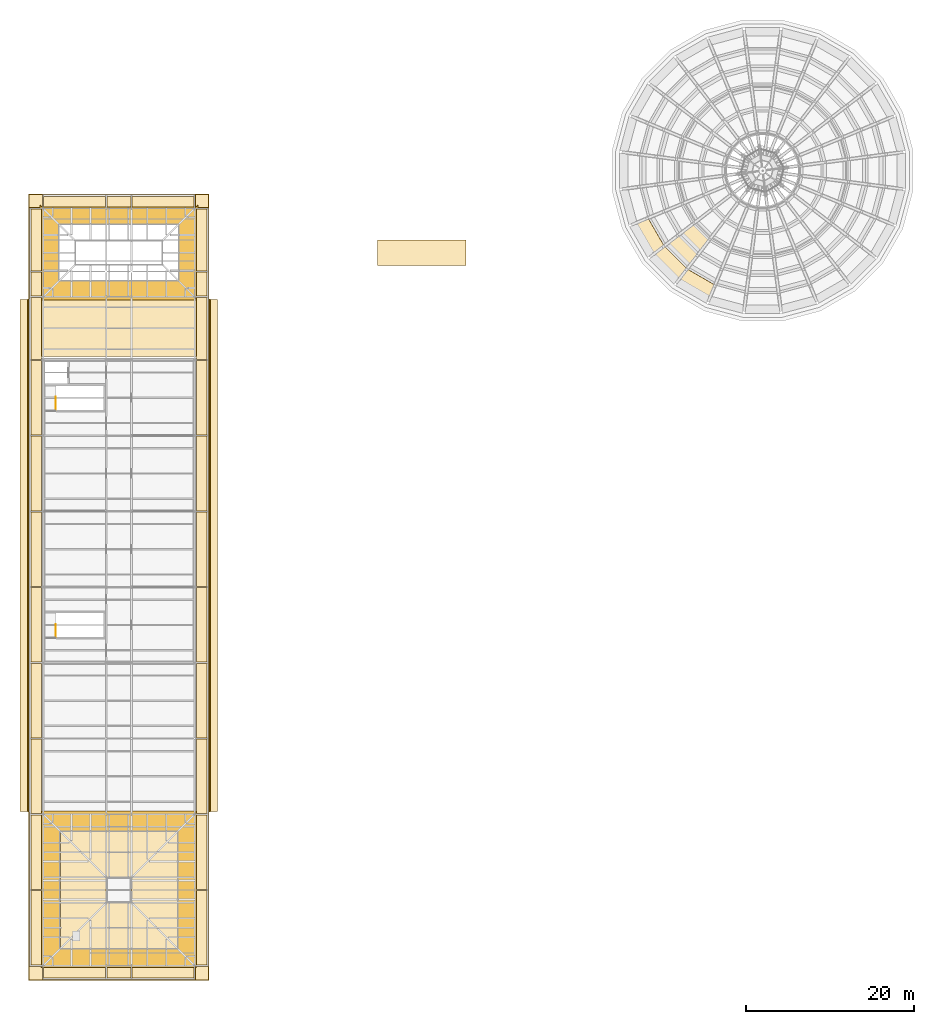
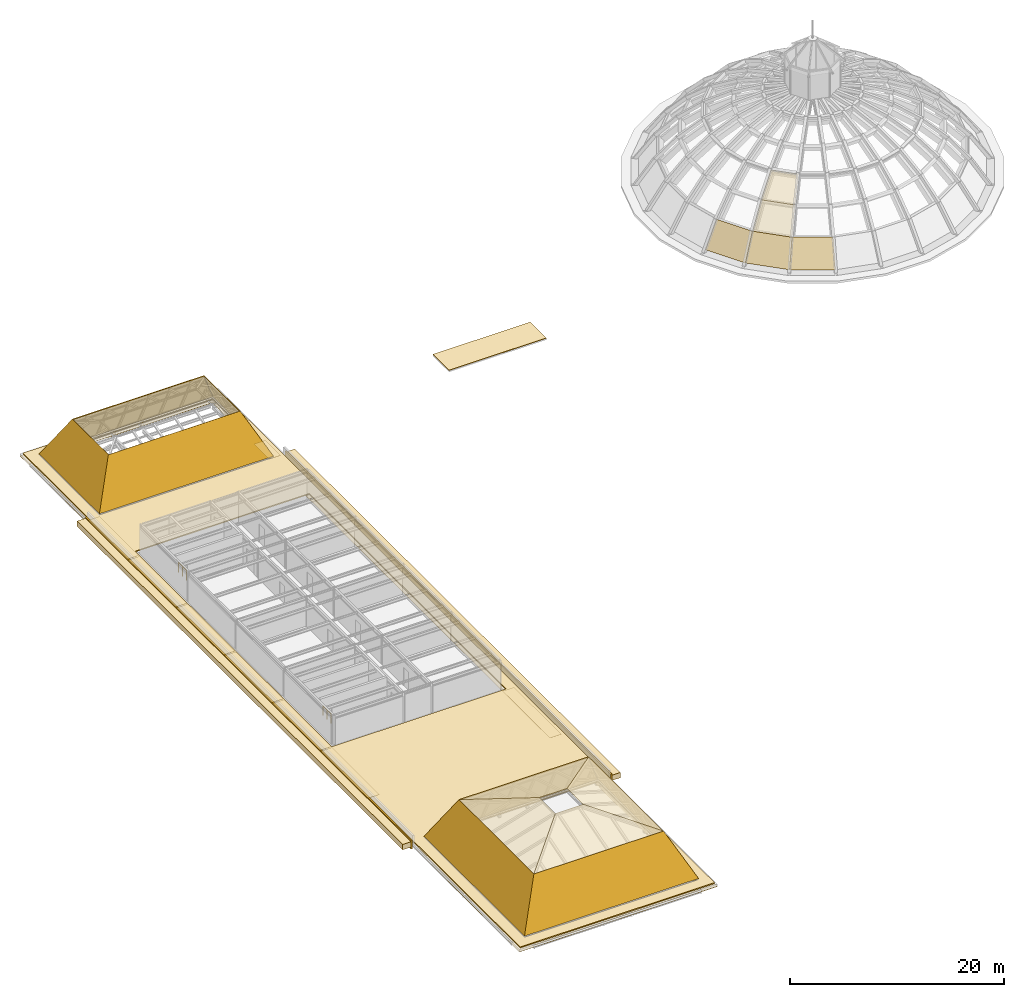
# One storey, part 26 of 29: 52 coverings, 2 railings.
"""IFC4 building model written with IfcOpenShell, lengths in metres."""

from ifc_helpers import new_model, si_unit, direction, frame, origin, origin_2d, place, context, subcontext, project, spatial, polyline, circle, outline, extrude, material, layer, layer_set, type_object, element, save


model = new_model("IFC4")

# Units and contexts
model_context = context("Model", 3, precision=1e-05, world=origin(), true_north=direction((0.0, 1.0)))
body_context = subcontext(model_context, "Body", "Model", "MODEL_VIEW")
ifc_project = project(units=[si_unit("LENGTHUNIT", "METRE"), si_unit("AREAUNIT", "SQUARE_METRE"), si_unit("VOLUMEUNIT", "CUBIC_METRE"), si_unit("PLANEANGLEUNIT", "RADIAN"), si_unit("MASSUNIT", "GRAM", prefix="KILO")], contexts=[model_context])

# Site, building, storey
site_placement = place(None, origin())
site = spatial("IfcSite", under=ifc_project, at=site_placement, CompositionType="ELEMENT")
building_placement = place(site_placement, origin())
building = spatial("IfcBuilding", under=site, at=building_placement, Name="Golden Quay Civic Hall", CompositionType="ELEMENT")
storey_placement = place(building_placement, frame((0.0, 0.0, 27.0)))
storey = spatial("IfcBuildingStorey", under=building, at=storey_placement, Name="L06", CompositionType="ELEMENT", Elevation=27.0)

# Coverings
ifc_material_1 = material(Name="Aluminium, anodised", Category="aluminium")
ifc_layer_1 = layer(ifc_material_1, 0.02490234375)
ifc_layer_set_1 = layer_set([ifc_layer_1], Name="Aluminium soffit lining 25")
covering_type_1 = type_object("IfcCoveringType", Name="Aluminium soffit lining 25", PredefinedType="CEILING", material=ifc_layer_set_1)
covering_1_placement = place(storey_placement, frame((0.0, 0.0, -0.27490234375)))
element("IfcCovering", 1, at=covering_1_placement, inside=storey, type_object=covering_type_1, Name="Aluminium soffit lining 25 L06 1", PredefinedType="CEILING", context=body_context, shape_type="SweptSolid", body=[
    extrude(outline(polyline([(-0.199951171875, -10.699951171875), (-1.699951171875, -10.699951171875), (-1.699951171875, -9.199951171875), (-1.699951171875, 81.199951171875), (-1.699951171875, 82.699951171875), (-0.199951171875, 82.699951171875), (18.199951171875, 82.699951171875), (19.699951171875, 82.699951171875), (19.699951171875, 81.199951171875), (19.699951171875, -9.199951171875), (19.699951171875, -10.699951171875), (18.199951171875, -10.699951171875), (-0.199951171875, -10.699951171875)]), holes=[polyline([(18.199951171875, -9.0673828125), (19.64990234375, -9.0673828125), (19.64990234375, -8.9326171875), (19.64990234375, -0.0673828125), (19.64990234375, 0.0673828125), (19.64990234375, 8.9326171875), (19.64990234375, 9.0673828125), (19.64990234375, 17.9326171875), (19.64990234375, 18.0673828125), (19.64990234375, 26.9326171875), (19.64990234375, 27.0673828125), (19.64990234375, 35.9326171875), (19.64990234375, 36.0673828125), (19.64990234375, 44.9326171875), (19.64990234375, 45.0673828125), (19.64990234375, 53.9326171875), (19.64990234375, 54.0673828125), (19.64990234375, 62.9326171875), (19.64990234375, 63.0673828125), (19.64990234375, 70.4326171875), (19.64990234375, 70.5673828125), (19.64990234375, 73.4326171875), (19.64990234375, 73.5673828125), (19.64990234375, 80.9326171875), (19.64990234375, 81.0673828125), (18.199951171875, 81.0673828125), (18.199951171875, 81.199951171875), (18.0673828125, 81.199951171875), (18.0673828125, 82.64990234375), (17.9326171875, 82.64990234375), (10.5673828125, 82.64990234375), (10.4326171875, 82.64990234375), (7.5673828125, 82.64990234375), (7.4326171875, 82.64990234375), (0.0673828125, 82.64990234375), (-0.0673828125, 82.64990234375), (-0.0673828125, 81.199951171875), (-0.199951171875, 81.199951171875), (-0.199951171875, 81.0673828125), (-1.64990234375, 81.0673828125), (-1.64990234375, 80.9326171875), (-1.64990234375, 73.5673828125), (-1.64990234375, 73.4326171875), (-1.64990234375, 70.5673828125), (-1.64990234375, 70.4326171875), (-1.64990234375, 63.0673828125), (-1.64990234375, 62.9326171875), (-1.64990234375, 54.0673828125), (-1.64990234375, 53.9326171875), (-1.64990234375, 45.0673828125), (-1.64990234375, 44.9326171875), (-1.64990234375, 36.0673828125), (-1.64990234375, 35.9326171875), (-1.64990234375, 27.0673828125), (-1.64990234375, 26.9326171875), (-1.64990234375, 18.0673828125), (-1.64990234375, 17.9326171875), (-1.64990234375, 9.0673828125), (-1.64990234375, 8.9326171875), (-1.64990234375, 0.0673828125), (-1.64990234375, -0.0673828125), (-1.64990234375, -8.9326171875), (-1.64990234375, -9.0673828125), (-0.199951171875, -9.0673828125), (-0.199951171875, -9.199951171875), (-0.0673828125, -9.199951171875), (-0.0673828125, -10.64990234375), (0.0673828125, -10.64990234375), (7.4326171875, -10.64990234375), (7.5673828125, -10.64990234375), (10.4326171875, -10.64990234375), (10.5673828125, -10.64990234375), (17.9326171875, -10.64990234375), (18.0673828125, -10.64990234375), (18.0673828125, -9.199951171875), (18.199951171875, -9.199951171875), (18.199951171875, -9.0673828125)])]), origin(), (0.0, 0.0, 1.0), 0.02490234375),
])
covering_2_placement = place(storey_placement, frame((0.0, 0.0, -0.27490234375)))
element("IfcCovering", 2, at=covering_2_placement, inside=storey, type_object=covering_type_1, Name="Aluminium soffit lining 25 L06 2", PredefinedType="CEILING", context=body_context, shape_type="SweptSolid", body=[
    extrude(outline(polyline([(18.199951171875, -0.0673828125), (19.449951171875, -0.0673828125), (19.449951171875, -8.9326171875), (18.199951171875, -8.9326171875), (18.199951171875, -0.0673828125)])), origin(), (0.0, 0.0, 1.0), 0.02490234375),
])
covering_3_placement = place(storey_placement, frame((0.0, 0.0, -0.27490234375)))
element("IfcCovering", 3, at=covering_3_placement, inside=storey, type_object=covering_type_1, Name="Aluminium soffit lining 25 L06 3", PredefinedType="CEILING", context=body_context, shape_type="SweptSolid", body=[
    extrude(outline(polyline([(18.199951171875, 8.9326171875), (19.449951171875, 8.9326171875), (19.449951171875, 0.0673828125), (18.199951171875, 0.0673828125), (18.199951171875, 8.9326171875)])), origin(), (0.0, 0.0, 1.0), 0.02490234375),
])
covering_4_placement = place(storey_placement, frame((0.0, 0.0, -0.27490234375)))
element("IfcCovering", 4, at=covering_4_placement, inside=storey, type_object=covering_type_1, Name="Aluminium soffit lining 25 L06 4", PredefinedType="CEILING", context=body_context, shape_type="SweptSolid", body=[
    extrude(outline(polyline([(18.199951171875, 17.9326171875), (19.449951171875, 17.9326171875), (19.449951171875, 9.0673828125), (18.199951171875, 9.0673828125), (18.199951171875, 17.9326171875)])), origin(), (0.0, 0.0, 1.0), 0.02490234375),
])
covering_5_placement = place(storey_placement, frame((0.0, 0.0, -0.27490234375)))
element("IfcCovering", 5, at=covering_5_placement, inside=storey, type_object=covering_type_1, Name="Aluminium soffit lining 25 L06 5", PredefinedType="CEILING", context=body_context, shape_type="SweptSolid", body=[
    extrude(outline(polyline([(18.199951171875, 26.9326171875), (19.449951171875, 26.9326171875), (19.449951171875, 18.0673828125), (18.199951171875, 18.0673828125), (18.199951171875, 26.9326171875)])), origin(), (0.0, 0.0, 1.0), 0.02490234375),
])
covering_6_placement = place(storey_placement, frame((0.0, 0.0, -0.27490234375)))
element("IfcCovering", 6, at=covering_6_placement, inside=storey, type_object=covering_type_1, Name="Aluminium soffit lining 25 L06 6", PredefinedType="CEILING", context=body_context, shape_type="SweptSolid", body=[
    extrude(outline(polyline([(18.199951171875, 35.9326171875), (19.449951171875, 35.9326171875), (19.449951171875, 27.0673828125), (18.199951171875, 27.0673828125), (18.199951171875, 35.9326171875)])), origin(), (0.0, 0.0, 1.0), 0.02490234375),
])
covering_7_placement = place(storey_placement, frame((0.0, 0.0, -0.27490234375)))
element("IfcCovering", 7, at=covering_7_placement, inside=storey, type_object=covering_type_1, Name="Aluminium soffit lining 25 L06 7", PredefinedType="CEILING", context=body_context, shape_type="SweptSolid", body=[
    extrude(outline(polyline([(18.199951171875, 44.9326171875), (19.449951171875, 44.9326171875), (19.449951171875, 36.0673828125), (18.199951171875, 36.0673828125), (18.199951171875, 44.9326171875)])), origin(), (0.0, 0.0, 1.0), 0.02490234375),
])
covering_8_placement = place(storey_placement, frame((0.0, 0.0, -0.27490234375)))
element("IfcCovering", 8, at=covering_8_placement, inside=storey, type_object=covering_type_1, Name="Aluminium soffit lining 25 L06 8", PredefinedType="CEILING", context=body_context, shape_type="SweptSolid", body=[
    extrude(outline(polyline([(18.199951171875, 53.9326171875), (19.449951171875, 53.9326171875), (19.449951171875, 45.0673828125), (18.199951171875, 45.0673828125), (18.199951171875, 53.9326171875)])), origin(), (0.0, 0.0, 1.0), 0.02490234375),
])
covering_9_placement = place(storey_placement, frame((0.0, 0.0, -0.27490234375)))
element("IfcCovering", 9, at=covering_9_placement, inside=storey, type_object=covering_type_1, Name="Aluminium soffit lining 25 L06 9", PredefinedType="CEILING", context=body_context, shape_type="SweptSolid", body=[
    extrude(outline(polyline([(18.199951171875, 62.9326171875), (19.449951171875, 62.9326171875), (19.449951171875, 54.0673828125), (18.199951171875, 54.0673828125), (18.199951171875, 62.9326171875)])), origin(), (0.0, 0.0, 1.0), 0.02490234375),
])
covering_10_placement = place(storey_placement, frame((0.0, 0.0, -0.27490234375)))
element("IfcCovering", 10, at=covering_10_placement, inside=storey, type_object=covering_type_1, Name="Aluminium soffit lining 25 L06 10", PredefinedType="CEILING", context=body_context, shape_type="SweptSolid", body=[
    extrude(outline(polyline([(18.199951171875, 70.4326171875), (19.449951171875, 70.4326171875), (19.449951171875, 63.0673828125), (18.199951171875, 63.0673828125), (18.199951171875, 70.4326171875)])), origin(), (0.0, 0.0, 1.0), 0.02490234375),
])
covering_11_placement = place(storey_placement, frame((0.0, 0.0, -0.27490234375)))
element("IfcCovering", 11, at=covering_11_placement, inside=storey, type_object=covering_type_1, Name="Aluminium soffit lining 25 L06 11", PredefinedType="CEILING", context=body_context, shape_type="SweptSolid", body=[
    extrude(outline(polyline([(18.199951171875, 73.4326171875), (19.449951171875, 73.4326171875), (19.449951171875, 70.5673828125), (18.199951171875, 70.5673828125), (18.199951171875, 73.4326171875)])), origin(), (0.0, 0.0, 1.0), 0.02490234375),
])
covering_12_placement = place(storey_placement, frame((0.0, 0.0, -0.27490234375)))
element("IfcCovering", 12, at=covering_12_placement, inside=storey, type_object=covering_type_1, Name="Aluminium soffit lining 25 L06 12", PredefinedType="CEILING", context=body_context, shape_type="SweptSolid", body=[
    extrude(outline(polyline([(18.199951171875, 80.9326171875), (19.449951171875, 80.9326171875), (19.449951171875, 73.5673828125), (18.199951171875, 73.5673828125), (18.199951171875, 80.9326171875)])), origin(), (0.0, 0.0, 1.0), 0.02490234375),
])
covering_13_placement = place(storey_placement, frame((0.0, 0.0, -0.27490234375)))
element("IfcCovering", 13, at=covering_13_placement, inside=storey, type_object=covering_type_1, Name="Aluminium soffit lining 25 L06 13", PredefinedType="CEILING", context=body_context, shape_type="SweptSolid", body=[
    extrude(outline(polyline([(10.5673828125, 81.199951171875), (10.5673828125, 82.449951171875), (17.9326171875, 82.449951171875), (17.9326171875, 81.199951171875), (10.5673828125, 81.199951171875)])), origin(), (0.0, 0.0, 1.0), 0.02490234375),
])
covering_14_placement = place(storey_placement, frame((0.0, 0.0, -0.27490234375)))
element("IfcCovering", 14, at=covering_14_placement, inside=storey, type_object=covering_type_1, Name="Aluminium soffit lining 25 L06 14", PredefinedType="CEILING", context=body_context, shape_type="SweptSolid", body=[
    extrude(outline(polyline([(7.5673828125, 81.199951171875), (7.5673828125, 82.449951171875), (10.4326171875, 82.449951171875), (10.4326171875, 81.199951171875), (7.5673828125, 81.199951171875)])), origin(), (0.0, 0.0, 1.0), 0.02490234375),
])
covering_15_placement = place(storey_placement, frame((0.0, 0.0, -0.27490234375)))
element("IfcCovering", 15, at=covering_15_placement, inside=storey, type_object=covering_type_1, Name="Aluminium soffit lining 25 L06 15", PredefinedType="CEILING", context=body_context, shape_type="SweptSolid", body=[
    extrude(outline(polyline([(0.0673828125, 81.199951171875), (0.0673828125, 82.449951171875), (7.4326171875, 82.449951171875), (7.4326171875, 81.199951171875), (0.0673828125, 81.199951171875)])), origin(), (0.0, 0.0, 1.0), 0.02490234375),
])
covering_16_placement = place(storey_placement, frame((0.0, 0.0, -0.27490234375)))
element("IfcCovering", 16, at=covering_16_placement, inside=storey, type_object=covering_type_1, Name="Aluminium soffit lining 25 L06 16", PredefinedType="CEILING", context=body_context, shape_type="SweptSolid", body=[
    extrude(outline(polyline([(-0.199951171875, 73.5673828125), (-1.449951171875, 73.5673828125), (-1.449951171875, 80.9326171875), (-0.199951171875, 80.9326171875), (-0.199951171875, 73.5673828125)])), origin(), (0.0, 0.0, 1.0), 0.02490234375),
])
covering_17_placement = place(storey_placement, frame((0.0, 0.0, -0.27490234375)))
element("IfcCovering", 17, at=covering_17_placement, inside=storey, type_object=covering_type_1, Name="Aluminium soffit lining 25 L06 17", PredefinedType="CEILING", context=body_context, shape_type="SweptSolid", body=[
    extrude(outline(polyline([(-0.199951171875, 70.5673828125), (-1.449951171875, 70.5673828125), (-1.449951171875, 73.4326171875), (-0.199951171875, 73.4326171875), (-0.199951171875, 70.5673828125)])), origin(), (0.0, 0.0, 1.0), 0.02490234375),
])
covering_18_placement = place(storey_placement, frame((0.0, 0.0, -0.27490234375)))
element("IfcCovering", 18, at=covering_18_placement, inside=storey, type_object=covering_type_1, Name="Aluminium soffit lining 25 L06 18", PredefinedType="CEILING", context=body_context, shape_type="SweptSolid", body=[
    extrude(outline(polyline([(-0.199951171875, 63.0673828125), (-1.449951171875, 63.0673828125), (-1.449951171875, 70.4326171875), (-0.199951171875, 70.4326171875), (-0.199951171875, 63.0673828125)])), origin(), (0.0, 0.0, 1.0), 0.02490234375),
])
covering_19_placement = place(storey_placement, frame((0.0, 0.0, -0.27490234375)))
element("IfcCovering", 19, at=covering_19_placement, inside=storey, type_object=covering_type_1, Name="Aluminium soffit lining 25 L06 19", PredefinedType="CEILING", context=body_context, shape_type="SweptSolid", body=[
    extrude(outline(polyline([(-0.199951171875, 54.0673828125), (-1.449951171875, 54.0673828125), (-1.449951171875, 62.9326171875), (-0.199951171875, 62.9326171875), (-0.199951171875, 54.0673828125)])), origin(), (0.0, 0.0, 1.0), 0.02490234375),
])
covering_20_placement = place(storey_placement, frame((0.0, 0.0, -0.27490234375)))
element("IfcCovering", 20, at=covering_20_placement, inside=storey, type_object=covering_type_1, Name="Aluminium soffit lining 25 L06 20", PredefinedType="CEILING", context=body_context, shape_type="SweptSolid", body=[
    extrude(outline(polyline([(-0.199951171875, 45.0673828125), (-1.449951171875, 45.0673828125), (-1.449951171875, 53.9326171875), (-0.199951171875, 53.9326171875), (-0.199951171875, 45.0673828125)])), origin(), (0.0, 0.0, 1.0), 0.02490234375),
])
covering_21_placement = place(storey_placement, frame((0.0, 0.0, -0.27490234375)))
element("IfcCovering", 21, at=covering_21_placement, inside=storey, type_object=covering_type_1, Name="Aluminium soffit lining 25 L06 21", PredefinedType="CEILING", context=body_context, shape_type="SweptSolid", body=[
    extrude(outline(polyline([(-0.199951171875, 36.0673828125), (-1.449951171875, 36.0673828125), (-1.449951171875, 44.9326171875), (-0.199951171875, 44.9326171875), (-0.199951171875, 36.0673828125)])), origin(), (0.0, 0.0, 1.0), 0.02490234375),
])
covering_22_placement = place(storey_placement, frame((0.0, 0.0, -0.27490234375)))
element("IfcCovering", 22, at=covering_22_placement, inside=storey, type_object=covering_type_1, Name="Aluminium soffit lining 25 L06 22", PredefinedType="CEILING", context=body_context, shape_type="SweptSolid", body=[
    extrude(outline(polyline([(-0.199951171875, 27.0673828125), (-1.449951171875, 27.0673828125), (-1.449951171875, 35.9326171875), (-0.199951171875, 35.9326171875), (-0.199951171875, 27.0673828125)])), origin(), (0.0, 0.0, 1.0), 0.02490234375),
])
covering_23_placement = place(storey_placement, frame((0.0, 0.0, -0.27490234375)))
element("IfcCovering", 23, at=covering_23_placement, inside=storey, type_object=covering_type_1, Name="Aluminium soffit lining 25 L06 23", PredefinedType="CEILING", context=body_context, shape_type="SweptSolid", body=[
    extrude(outline(polyline([(-0.199951171875, 18.0673828125), (-1.449951171875, 18.0673828125), (-1.449951171875, 26.9326171875), (-0.199951171875, 26.9326171875), (-0.199951171875, 18.0673828125)])), origin(), (0.0, 0.0, 1.0), 0.02490234375),
])
covering_24_placement = place(storey_placement, frame((0.0, 0.0, -0.27490234375)))
element("IfcCovering", 24, at=covering_24_placement, inside=storey, type_object=covering_type_1, Name="Aluminium soffit lining 25 L06 24", PredefinedType="CEILING", context=body_context, shape_type="SweptSolid", body=[
    extrude(outline(polyline([(-0.199951171875, 9.0673828125), (-1.449951171875, 9.0673828125), (-1.449951171875, 17.9326171875), (-0.199951171875, 17.9326171875), (-0.199951171875, 9.0673828125)])), origin(), (0.0, 0.0, 1.0), 0.02490234375),
])
covering_25_placement = place(storey_placement, frame((0.0, 0.0, -0.27490234375)))
element("IfcCovering", 25, at=covering_25_placement, inside=storey, type_object=covering_type_1, Name="Aluminium soffit lining 25 L06 25", PredefinedType="CEILING", context=body_context, shape_type="SweptSolid", body=[
    extrude(outline(polyline([(-0.199951171875, 0.0673828125), (-1.449951171875, 0.0673828125), (-1.449951171875, 8.9326171875), (-0.199951171875, 8.9326171875), (-0.199951171875, 0.0673828125)])), origin(), (0.0, 0.0, 1.0), 0.02490234375),
])
covering_26_placement = place(storey_placement, frame((0.0, 0.0, -0.27490234375)))
element("IfcCovering", 26, at=covering_26_placement, inside=storey, type_object=covering_type_1, Name="Aluminium soffit lining 25 L06 26", PredefinedType="CEILING", context=body_context, shape_type="SweptSolid", body=[
    extrude(outline(polyline([(-0.199951171875, -8.9326171875), (-1.449951171875, -8.9326171875), (-1.449951171875, -0.0673828125), (-0.199951171875, -0.0673828125), (-0.199951171875, -8.9326171875)])), origin(), (0.0, 0.0, 1.0), 0.02490234375),
])
covering_27_placement = place(storey_placement, frame((0.0, 0.0, -0.27490234375)))
element("IfcCovering", 27, at=covering_27_placement, inside=storey, type_object=covering_type_1, Name="Aluminium soffit lining 25 L06 27", PredefinedType="CEILING", context=body_context, shape_type="SweptSolid", body=[
    extrude(outline(polyline([(7.4326171875, -9.199951171875), (7.4326171875, -10.449951171875), (0.0673828125, -10.449951171875), (0.0673828125, -9.199951171875), (7.4326171875, -9.199951171875)])), origin(), (0.0, 0.0, 1.0), 0.02490234375),
])
covering_28_placement = place(storey_placement, frame((0.0, 0.0, -0.27490234375)))
element("IfcCovering", 28, at=covering_28_placement, inside=storey, type_object=covering_type_1, Name="Aluminium soffit lining 25 L06 28", PredefinedType="CEILING", context=body_context, shape_type="SweptSolid", body=[
    extrude(outline(polyline([(10.4326171875, -9.199951171875), (10.4326171875, -10.449951171875), (7.5673828125, -10.449951171875), (7.5673828125, -9.199951171875), (10.4326171875, -9.199951171875)])), origin(), (0.0, 0.0, 1.0), 0.02490234375),
])
covering_29_placement = place(storey_placement, frame((0.0, 0.0, -0.27490234375)))
element("IfcCovering", 29, at=covering_29_placement, inside=storey, type_object=covering_type_1, Name="Aluminium soffit lining 25 L06 29", PredefinedType="CEILING", context=body_context, shape_type="SweptSolid", body=[
    extrude(outline(polyline([(17.9326171875, -9.199951171875), (17.9326171875, -10.449951171875), (10.5673828125, -10.449951171875), (10.5673828125, -9.199951171875), (17.9326171875, -9.199951171875)])), origin(), (0.0, 0.0, 1.0), 0.02490234375),
])
ifc_material_2 = material(Name="Ceramic tile")
ifc_layer_2 = layer(ifc_material_2, 0.030029296875)
ifc_layer_set_2 = layer_set([ifc_layer_2], Name="Ceramic tile roofing, green glaze")
covering_type_2 = type_object("IfcCoveringType", Name="Ceramic tile roofing, green glaze", PredefinedType="ROOFING", material=ifc_layer_set_2)
covering_30_placement = place(storey_placement, frame((70.326416015625, 79.21142578125, 0.162109375), z_axis=(-0.722419194234, -0.41708510794, 0.551498432035), x_axis=(0.499994774633, -0.866028420625, -3.146125e-06)))
element("IfcCovering", 30, at=covering_30_placement, inside=storey, type_object=covering_type_2, Name="Dome tile roofing 1.14", PredefinedType="ROOFING", context=body_context, shape_type="SweptSolid", body=[
    extrude(outline(polyline([(0.0, 0.0), (4.281330031252493, 0.0), (4.060276940055016, 3.043812687252853), (0.22094589185488453, 3.0437820598821443), (0.0, 0.0)])), origin(), (0.0, 0.0, -1.0), 0.030029296875),
])
covering_31_placement = place(storey_placement, frame((72.470947265625, 75.498291015625, 0.162109375), z_axis=(-0.589828881025, -0.589828881025, 0.551546718074), x_axis=(0.707106781187, -0.707106781187, 0.0)))
element("IfcCovering", 31, at=covering_31_placement, inside=storey, type_object=covering_type_2, Name="Dome tile roofing 1.15", PredefinedType="ROOFING", context=body_context, shape_type="SweptSolid", body=[
    extrude(outline(polyline([(0.0, 0.0), (4.281310589215424, 0.0), (4.060512353586129, 3.0439138695393515), (0.22079823562929546, 3.0439138695393515), (0.0, 0.0)])), origin(), (0.0, 0.0, -1.0), 0.030029296875),
])
covering_32_placement = place(storey_placement, frame((75.503662109375, 72.467041015625, 0.162109375), z_axis=(-0.41708510794, -0.722419194234, 0.551498432035), x_axis=(0.866028420625, -0.499994774633, 3.146125e-06)))
element("IfcCovering", 32, at=covering_32_placement, inside=storey, type_object=covering_type_2, Name="Dome tile roofing 1.16", PredefinedType="ROOFING", context=body_context, shape_type="SweptSolid", body=[
    extrude(outline(polyline([(0.0, 0.0), (4.281330031252493, 0.0), (4.060384139397608, 3.043782059882144), (0.22105309119747676, 3.043812687252853), (0.0, 0.0)])), origin(), (0.0, 0.0, -1.0), 0.030029296875),
])
covering_33_placement = place(storey_placement, frame((73.81640625, 76.53125, 2.705078125), z_axis=(-0.518937405576, -0.518937405576, 0.67927015111), x_axis=(0.707106781187, -0.707106781187, 0.0)))
element("IfcCovering", 33, at=covering_33_placement, inside=storey, type_object=covering_type_2, Name="Dome tile roofing 2.15", PredefinedType="ROOFING", context=body_context, shape_type="SweptSolid", body=[
    extrude(outline(polyline([(0.0, 0.0), (3.8393688509738326, 0.0), (3.5676437353518535, 3.039580872168448), (0.271725115621979, 3.0395808721684485), (0.0, 0.0)])), origin(), (0.0, 0.0, -1.0), 0.030029296875),
])
covering_34_placement = place(storey_placement, frame((75.47119140625, 77.801513671875, 4.939208984375), z_axis=(-0.434115883787, -0.434115883787, 0.789358472995), x_axis=(0.707106781187, -0.707106781187, 0.0)))
element("IfcCovering", 34, at=covering_34_placement, inside=storey, type_object=covering_type_2, Name="Dome tile roofing 3.15", PredefinedType="ROOFING", context=body_context, shape_type="SweptSolid", body=[
    extrude(outline(polyline([(0.0, 0.0), (3.295573352746873, 0.0), (2.980171963775237, 3.0357886530678746), (0.3154013889716363, 3.0357886530678746), (0.0, 0.0)])), origin(), (0.0, 0.0, -1.0), 0.030029296875),
])
ifc_material_3 = material(Name="Clay roof tile")
ifc_layer_3 = layer(ifc_material_3, 0.06005859375)
ifc_layer_set_3 = layer_set([ifc_layer_3], Name="Clay roof tile 60")
covering_type_3 = type_object("IfcCoveringType", Name="Clay roof tile 60", PredefinedType="ROOFING", material=ifc_layer_set_3)
covering_35_placement = place(storey_placement, frame((-0.39990234375, -9.39990234375, 0.308349609375), z_axis=(0.0, -0.894436289399, 0.44719539824), x_axis=(1.0, 0.0, 0.0)))
element("IfcCovering", 35, at=covering_35_placement, inside=storey, type_object=covering_type_3, Name="Roof tiles WO-S south lower", PredefinedType="ROOFING", context=body_context, shape_type="SweptSolid", body=[
    extrude(outline(polyline([(0.0, 0.0), (18.7998046875, 0.0), (16.39990234375, 5.3665631471101625), (2.39990234375, 5.3665631471101625), (0.0, 0.0)])), origin(), (0.0, 0.0, -1.0), 0.06005859375),
])
for number, where, z_axis, x_axis, name in (
    (36, (-0.39990234375, 9.39990234375, 0.308349609375), (0.0, 0.894436289399, 0.44719539824), (1.0, 0.0, 0.0), "Roof tiles WO-S north lower"),
    (37, (-0.39990234375, -9.39990234375, 0.308349609375), (-0.894436289399, 0.0, 0.44719539824), (0.0, 1.0, 0.0), "Roof tiles WO-S west lower"),
):
    element("IfcCovering", number, at=place(storey_placement, frame(where, z_axis=z_axis, x_axis=x_axis)), inside=storey, type_object=covering_type_3, Name=name, PredefinedType="ROOFING", context=body_context, shape_type="SweptSolid", body=[
        extrude(outline(polyline([(0.0, 0.0), (18.7998046875, 0.0), (16.39990234375, -5.3665631471101625), (2.39990234375, -5.3665631471101625), (0.0, 0.0)])), origin(), (0.0, 0.0, -1.0), 0.06005859375),
    ])
covering_36_placement = place(storey_placement, frame((18.39990234375, -9.39990234375, 0.308349609375), z_axis=(0.894436289399, 0.0, 0.44719539824), x_axis=(0.0, 1.0, 0.0)))
element("IfcCovering", 38, at=covering_36_placement, inside=storey, type_object=covering_type_3, Name="Roof tiles WO-S east lower", PredefinedType="ROOFING", context=body_context, shape_type="SweptSolid", body=[
    extrude(outline(polyline([(0.0, 0.0), (18.7998046875, 0.0), (16.39990234375, 5.3665631471101625), (2.39990234375, 5.3665631471101625), (0.0, 0.0)])), origin(), (0.0, 0.0, -1.0), 0.06005859375),
])
covering_37_placement = place(storey_placement, frame((2.0, -7.0, 5.1083984375), z_axis=(0.0, -0.287332282829, 0.957830965904), x_axis=(1.0, 0.0, 0.0)))
element("IfcCovering", 39, at=covering_37_placement, inside=storey, type_object=covering_type_3, Name="Roof tiles WO-S south upper", PredefinedType="ROOFING", context=body_context, shape_type="SweptSolid", body=[
    extrude(outline(polyline([(0.0, 0.0), (14.0, 0.0), (8.5, 5.742140519345703), (5.5, 5.742140519345703), (0.0, 0.0)])), origin(), (0.0, 0.0, -1.0), 0.06005859375),
])
for number, where, z_axis, x_axis, name in (
    (40, (2.0, 7.0, 5.1083984375), (0.0, 0.287332282829, 0.957830965904), (1.0, 0.0, 0.0), "Roof tiles WO-S north upper"),
    (41, (2.0, -7.0, 5.1083984375), (-0.287332282829, 0.0, 0.957830965904), (0.0, 1.0, 0.0), "Roof tiles WO-S west upper"),
):
    element("IfcCovering", number, at=place(storey_placement, frame(where, z_axis=z_axis, x_axis=x_axis)), inside=storey, type_object=covering_type_3, Name=name, PredefinedType="ROOFING", context=body_context, shape_type="SweptSolid", body=[
        extrude(outline(polyline([(0.0, 0.0), (14.0, 0.0), (8.5, -5.742140519345703), (5.5, -5.742140519345703), (0.0, 0.0)])), origin(), (0.0, 0.0, -1.0), 0.06005859375),
    ])
covering_38_placement = place(storey_placement, frame((16.0, -7.0, 5.1083984375), z_axis=(0.287332282829, 0.0, 0.957830965904), x_axis=(0.0, 1.0, 0.0)))
element("IfcCovering", 42, at=covering_38_placement, inside=storey, type_object=covering_type_3, Name="Roof tiles WO-S east upper", PredefinedType="ROOFING", context=body_context, shape_type="SweptSolid", body=[
    extrude(outline(polyline([(0.0, 0.0), (14.0, 0.0), (8.5, 5.742140519345703), (5.5, 5.742140519345703), (0.0, 0.0)])), origin(), (0.0, 0.0, -1.0), 0.06005859375),
])
covering_39_placement = place(storey_placement, frame((-0.39990234375, 70.10009765625, 0.308349609375), z_axis=(0.0, -0.894427191, 0.4472135955), x_axis=(1.0, 0.0, 0.0)))
element("IfcCovering", 43, at=covering_39_placement, inside=storey, type_object=covering_type_3, Name="Roof tiles WO-N south lower", PredefinedType="ROOFING", context=body_context, shape_type="SweptSolid", body=[
    extrude(outline(polyline([(0.0, 0.0), (18.7998046875, 0.0), (16.516845703125, 5.10485147890638), (2.282958984375, 5.10485147890638), (0.0, 0.0)])), origin(), (0.0, 0.0, -1.0), 0.06005859375),
])
covering_40_placement = place(storey_placement, frame((-0.39990234375, 81.39990234375, 0.308349609375), z_axis=(0.0, 0.894427191, 0.4472135955), x_axis=(1.0, 0.0, 0.0)))
element("IfcCovering", 44, at=covering_40_placement, inside=storey, type_object=covering_type_3, Name="Roof tiles WO-N north lower", PredefinedType="ROOFING", context=body_context, shape_type="SweptSolid", body=[
    extrude(outline(polyline([(0.0, 0.0), (18.7998046875, 0.0), (16.516845703125, -5.10485147890638), (2.282958984375, -5.10485147890638), (0.0, 0.0)])), origin(), (0.0, 0.0, -1.0), 0.06005859375),
])
covering_41_placement = place(storey_placement, frame((-0.39990234375, 70.10009765625, 0.308349609375), z_axis=(-0.894427191, 0.0, 0.4472135955), x_axis=(0.0, 1.0, 0.0)))
element("IfcCovering", 45, at=covering_41_placement, inside=storey, type_object=covering_type_3, Name="Roof tiles WO-N west lower", PredefinedType="ROOFING", context=body_context, shape_type="SweptSolid", body=[
    extrude(outline(polyline([(0.0, 0.0), (11.2998046875, 0.0), (9.016845703125, -5.10485147890638), (2.282958984375, -5.10485147890638), (0.0, 0.0)])), origin(), (0.0, 0.0, -1.0), 0.06005859375),
])
covering_42_placement = place(storey_placement, frame((18.39990234375, 70.10009765625, 0.308349609375), z_axis=(0.894427191, 0.0, 0.4472135955), x_axis=(0.0, 1.0, 0.0)))
element("IfcCovering", 46, at=covering_42_placement, inside=storey, type_object=covering_type_3, Name="Roof tiles WO-N east lower", PredefinedType="ROOFING", context=body_context, shape_type="SweptSolid", body=[
    extrude(outline(polyline([(0.0, 0.0), (11.2998046875, 0.0), (9.016845703125, 5.10485147890638), (2.282958984375, 5.10485147890638), (0.0, 0.0)])), origin(), (0.0, 0.0, -1.0), 0.06005859375),
])
covering_43_placement = place(storey_placement, frame((0.0, 0.0, 0.077392578125)))
element("IfcCovering", 47, at=covering_43_placement, inside=storey, type_object=covering_type_3, Name="Roof tiles NW-E cap", PredefinedType="ROOFING", context=body_context, shape_type="SweptSolid", body=[
    extrude(outline(polyline([(39.75, 74.25), (50.25, 74.25), (50.25, 77.25), (39.75, 77.25), (39.75, 74.25)])), origin(), (0.0, 0.0, 1.0), 0.06005859375),
])
ifc_material_4 = material(Name="Bitumen membrane on rigid insulation")
ifc_layer_4 = layer(ifc_material_4, 0.1201171875)
ifc_layer_set_4 = layer_set([ifc_layer_4], Name="Insulated membrane roofing 120")
covering_type_4 = type_object("IfcCoveringType", Name="Insulated membrane roofing 120", PredefinedType="ROOFING", material=ifc_layer_set_4)
covering_44_placement = place(storey_placement, origin())
element("IfcCovering", 48, at=covering_44_placement, inside=storey, type_object=covering_type_4, Name="Insulated membrane roofing 120 L06 1", PredefinedType="ROOFING", context=body_context, shape_type="SweptSolid", body=[
    extrude(outline(polyline([(19.5, -10.5), (-1.5, -10.5), (-1.5, 82.5), (19.5, 82.5), (19.5, -10.5)]), holes=[polyline([(-0.300048828125, 9.300048828125), (-0.300048828125, -9.300048828125), (18.300048828125, -9.300048828125), (18.300048828125, 9.300048828125), (-0.300048828125, 9.300048828125)]), polyline([(-0.300048828125, 81.300048828125), (-0.300048828125, 70.199951171875), (18.300048828125, 70.199951171875), (18.300048828125, 81.300048828125), (-0.300048828125, 81.300048828125)]), polyline([(-0.39990234375, 26.60009765625), (18.39990234375, 26.60009765625), (18.39990234375, 63.39990234375), (-0.39990234375, 63.39990234375), (-0.39990234375, 26.60009765625)])]), origin(), (0.0, 0.0, 1.0), 0.1201171875),
])

# Railings
ifc_material_5 = material(Name="Steel S355", Category="steel")
railing_type = type_object("IfcRailingType", Name="Steel guard 1100", PredefinedType="GUARDRAIL", material=ifc_material_5)
for number, where, name in (
    (49, (1.5, 57.074951171875, 0.0), "L06 WO-N top well guard 1"),
    (50, (1.5, 30.074951171875, 0.0), "L06 WO-M top well guard 1"),
):
    element("IfcRailing", number, at=place(storey_placement, frame(where)), inside=storey, type_object=railing_type, Name=name, PredefinedType="GUARDRAIL", context=body_context, shape_type="SweptSolid", body=[
        extrude(circle(Radius=0.02392578125, at=origin_2d()), frame((0.0, 0.0, 1.076171875), z_axis=(0.0, 1.0, 0.0), x_axis=(-1.0, 0.0, 0.0)), (0.0, 0.0, 1.0), 1.5),
        extrude(circle(Radius=0.02099609375, at=origin_2d()), origin(), (0.0, 0.0, 1.0), 1.052001953125),
        extrude(circle(Radius=0.02099609375, at=origin_2d()), frame((0.0, 0.75, 0.0)), (0.0, 0.0, 1.0), 1.052001953125),
        extrude(circle(Radius=0.02099609375, at=origin_2d()), frame((0.0, 1.5, 0.0)), (0.0, 0.0, 1.0), 1.052001953125),
    ])

# Coverings
ifc_material_6 = material(Name="Terracotta cladding, golden glaze", Category="masonry")
covering_type_5 = type_object("IfcCoveringType", Name="Terracotta cornice moulding 900 x 600", PredefinedType="MOLDING", material=ifc_material_6)
covering_45_placement = place(storey_placement, frame((0.0, 0.0, -0.35009765625)))
element("IfcCovering", 51, at=covering_45_placement, inside=storey, type_object=covering_type_5, Name="Terracotta cornice moulding 900 x 600 L06 1", PredefinedType="MOLDING", context=body_context, shape_type="SweptSolid", body=[
    extrude(outline(polyline([(20.75, 9.300048828125), (19.85009765625, 9.300048828125), (19.85009765625, 70.199951171875), (20.75, 70.199951171875), (20.75, 9.300048828125)])), origin(), (0.0, 0.0, 1.0), 0.60009765625),
])
covering_46_placement = place(storey_placement, frame((0.0, 0.0, -0.35009765625)))
element("IfcCovering", 52, at=covering_46_placement, inside=storey, type_object=covering_type_5, Name="Terracotta cornice moulding 900 x 600 L06 2", PredefinedType="MOLDING", context=body_context, shape_type="SweptSolid", body=[
    extrude(outline(polyline([(-2.75, 70.199951171875), (-1.85009765625, 70.199951171875), (-1.85009765625, 9.300048828125), (-2.75, 9.300048828125), (-2.75, 70.199951171875)])), origin(), (0.0, 0.0, 1.0), 0.60009765625),
])
ifc_material_7 = material(Name="Terracotta cladding, golden glaze", Category="masonry")
covering_type_6 = type_object("IfcCoveringType", Name="Terracotta eave fascia 150 x 1000", PredefinedType="CLADDING", material=ifc_material_7)
covering_47_placement = place(storey_placement, frame((0.0, 0.0, -0.60009765625)))
element("IfcCovering", 53, at=covering_47_placement, inside=storey, type_object=covering_type_6, Name="Terracotta eave fascia 150 x 1000 L06 1", PredefinedType="CLADDING", context=body_context, shape_type="SweptSolid", body=[
    extrude(outline(polyline([(19.85009765625, 9.300048828125), (19.699951171875, 9.300048828125), (19.699951171875, 70.199951171875), (19.85009765625, 70.199951171875), (19.85009765625, 9.300048828125)])), origin(), (0.0, 0.0, 1.0), 1.0),
])
covering_48_placement = place(storey_placement, frame((0.0, 0.0, -0.60009765625)))
element("IfcCovering", 54, at=covering_48_placement, inside=storey, type_object=covering_type_6, Name="Terracotta eave fascia 150 x 1000 L06 2", PredefinedType="CLADDING", context=body_context, shape_type="SweptSolid", body=[
    extrude(outline(polyline([(-1.85009765625, 70.199951171875), (-1.699951171875, 70.199951171875), (-1.699951171875, 9.300048828125), (-1.85009765625, 9.300048828125), (-1.85009765625, 70.199951171875)])), origin(), (0.0, 0.0, 1.0), 1.0),
])

save(model, "model.ifc")
